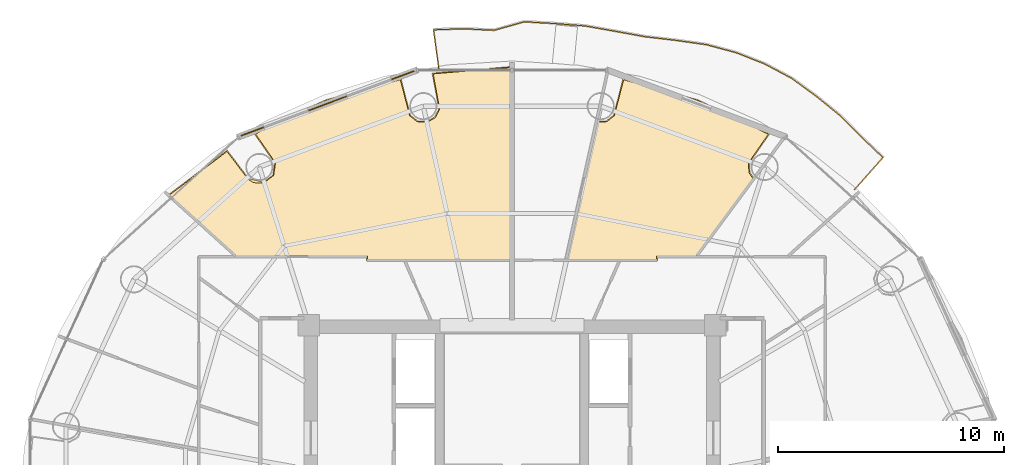
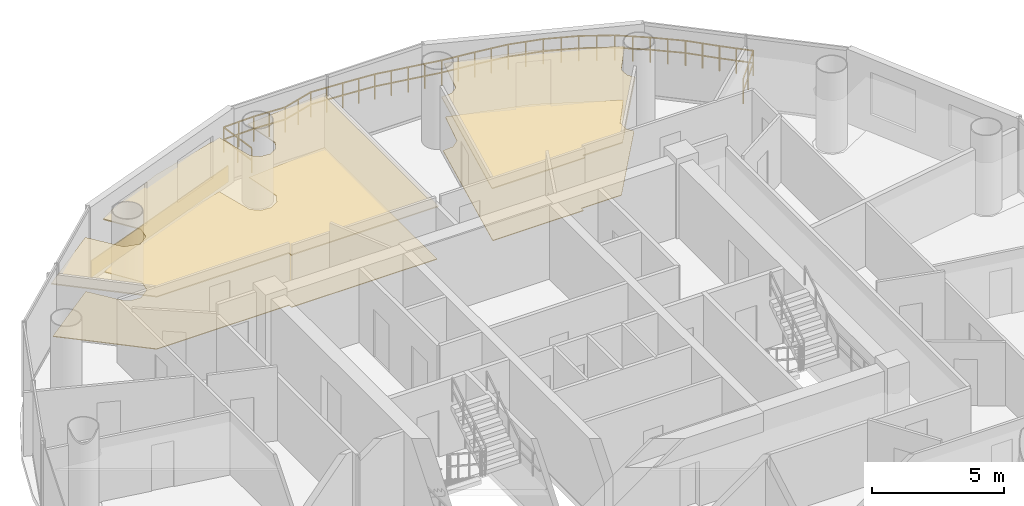
# One storey, part 27 of 27: 5 coverings, 1 railing.
"""IFC4 building model written with IfcOpenShell, lengths in metres."""

from ifc_helpers import new_model, si_unit, direction, frame, origin, origin_2d, place, context, subcontext, project, spatial, polyline, rectangle, outline, extrude, source, transform, mapped, material, layer, layer_set, type_object, element, save


model = new_model("IFC4")

# Units and contexts
model_context = context("Model", 3, precision=1e-05, world=origin(), true_north=direction((-0.2419218956, 0.970295726276)))
body_context = subcontext(model_context, "Body", "Model", "MODEL_VIEW")
ifc_project = project(units=[si_unit("LENGTHUNIT", "METRE"), si_unit("AREAUNIT", "SQUARE_METRE"), si_unit("VOLUMEUNIT", "CUBIC_METRE"), si_unit("PLANEANGLEUNIT", "RADIAN"), si_unit("MASSUNIT", "GRAM", prefix="KILO")], contexts=[model_context])

# Site, building, storey
site_placement = place(None, origin())
site = spatial("IfcSite", under=ifc_project, at=site_placement, CompositionType="ELEMENT")
building_placement = place(site_placement, origin())
building = spatial("IfcBuilding", under=site, at=building_placement, Name="Cobrevalo Terracotta Tower", CompositionType="ELEMENT")
storey_placement = place(building_placement, frame((0.0, 0.0, 191.199951171875)))
storey = spatial("IfcBuildingStorey", under=building, at=storey_placement, Name="L50", CompositionType="ELEMENT", Elevation=191.199951171875)

# Railing
ifc_material_1 = material(Name="Laminated structural glass and stainless steel", Category="steel")
railing_type = type_object("IfcRailingType", Name="Balcony lobe structural glass & terracotta-cap balustrade 1180 mm", PredefinedType="BALUSTRADE", material=ifc_material_1)
railing_placement = place(storey_placement, frame((53.18017578125, 40.802490234375, 0.0)))
element("IfcRailing", 1, at=railing_placement, inside=storey, type_object=railing_type, Name="L50 spiralling balcony lobe balustrade 1", PredefinedType="BALUSTRADE", context=body_context, shape_type="SweptSolid", body=[
    extrude(rectangle(XDim=0.048095703125, YDim=0.048095703125, at=origin_2d()), frame((0.0, 0.0, 1.15576171875), z_axis=(0.663086681071, 0.748542619619, 0.0), x_axis=(-0.748542619619, 0.663086681071, 0.0)), (0.0, 0.0, 1.0), 1.89990234375),
    extrude(rectangle(XDim=0.048095703125, YDim=0.048095703125, at=origin_2d()), frame((0.0, 0.0, 0.58984375), z_axis=(0.663086681071, 0.748542619619, 0.0), x_axis=(-0.748542619619, 0.663086681071, 0.0)), (0.0, 0.0, 1.0), 1.89990234375),
    extrude(rectangle(XDim=0.048095703125, YDim=0.048095703125, at=origin_2d()), frame((1.259765625, 1.422119140625, 1.15576171875), z_axis=(-0.725129002383, 0.68861304802, 0.0), x_axis=(-0.68861304802, -0.725129002383, 0.0)), (0.0, 0.0, 1.0), 1.317138671875),
    extrude(rectangle(XDim=0.048095703125, YDim=0.048095703125, at=origin_2d()), frame((1.259765625, 1.422119140625, 0.58984375), z_axis=(-0.725129002383, 0.68861304802, 0.0), x_axis=(-0.68861304802, -0.725129002383, 0.0)), (0.0, 0.0, 1.0), 1.317138671875),
    extrude(rectangle(XDim=0.048095703125, YDim=0.048095703125, at=origin_2d()), frame((0.3046875, 2.3291015625, 1.15576171875), z_axis=(-0.704177324076, 0.710024151883, 0.0), x_axis=(-0.710024151883, -0.704177324076, 0.0)), (0.0, 0.0, 1.0), 1.336181640625),
    extrude(rectangle(XDim=0.048095703125, YDim=0.048095703125, at=origin_2d()), frame((0.3046875, 2.3291015625, 0.58984375), z_axis=(-0.704177324076, 0.710024151883, 0.0), x_axis=(-0.710024151883, -0.704177324076, 0.0)), (0.0, 0.0, 1.0), 1.336181640625),
    extrude(rectangle(XDim=0.048095703125, YDim=0.048095703125, at=origin_2d()), frame((-0.63623046875, 3.27783203125, 1.15576171875), z_axis=(-0.775792773105, 0.630987775792, 0.0), x_axis=(-0.630987775792, -0.775792773105, 0.0)), (0.0, 0.0, 1.0), 1.348876953125),
    extrude(rectangle(XDim=0.048095703125, YDim=0.048095703125, at=origin_2d()), frame((-0.63623046875, 3.27783203125, 0.58984375), z_axis=(-0.775792773105, 0.630987775792, 0.0), x_axis=(-0.630987775792, -0.775792773105, 0.0)), (0.0, 0.0, 1.0), 1.348876953125),
    extrude(rectangle(XDim=0.048095703125, YDim=0.048095703125, at=origin_2d()), frame((-1.6826171875, 4.12890625, 1.15576171875), z_axis=(-0.807654467014, 0.58965605391, 0.0), x_axis=(-0.58965605391, -0.807654467014, 0.0)), (0.0, 0.0, 1.0), 1.3583984375),
    extrude(rectangle(XDim=0.048095703125, YDim=0.048095703125, at=origin_2d()), frame((-1.6826171875, 4.12890625, 0.58984375), z_axis=(-0.807654467014, 0.58965605391, 0.0), x_axis=(-0.58965605391, -0.807654467014, 0.0)), (0.0, 0.0, 1.0), 1.3583984375),
    extrude(rectangle(XDim=0.048095703125, YDim=0.048095703125, at=origin_2d()), frame((-2.77978515625, 4.929931640625, 1.15576171875), z_axis=(-0.882010085841, 0.47123052583, 0.0), x_axis=(-0.47123052583, -0.882010085841, 0.0)), (0.0, 0.0, 1.0), 1.361083984375),
    extrude(rectangle(XDim=0.048095703125, YDim=0.048095703125, at=origin_2d()), frame((-2.77978515625, 4.929931640625, 0.58984375), z_axis=(-0.882010085841, 0.47123052583, 0.0), x_axis=(-0.47123052583, -0.882010085841, 0.0)), (0.0, 0.0, 1.0), 1.361083984375),
    extrude(rectangle(XDim=0.048095703125, YDim=0.048095703125, at=origin_2d()), frame((-3.980224609375, 5.5712890625, 1.15576171875), z_axis=(-0.930312408247, 0.36676807803, 0.0), x_axis=(-0.36676807803, -0.930312408247, 0.0)), (0.0, 0.0, 1.0), 1.3671875),
    extrude(rectangle(XDim=0.048095703125, YDim=0.048095703125, at=origin_2d()), frame((-3.980224609375, 5.5712890625, 0.58984375), z_axis=(-0.930312408247, 0.36676807803, 0.0), x_axis=(-0.36676807803, -0.930312408247, 0.0)), (0.0, 0.0, 1.0), 1.3671875),
    extrude(rectangle(XDim=0.048095703125, YDim=0.048095703125, at=origin_2d()), frame((-5.252197265625, 6.07275390625, 1.15576171875), z_axis=(-0.966202361333, 0.257784788059, 0.0), x_axis=(-0.257784788059, -0.966202361333, 0.0)), (0.0, 0.0, 1.0), 1.368408203125),
    extrude(rectangle(XDim=0.048095703125, YDim=0.048095703125, at=origin_2d()), frame((-5.252197265625, 6.07275390625, 0.58984375), z_axis=(-0.966202361333, 0.257784788059, 0.0), x_axis=(-0.257784788059, -0.966202361333, 0.0)), (0.0, 0.0, 1.0), 1.368408203125),
    extrude(rectangle(XDim=0.048095703125, YDim=0.048095703125, at=origin_2d()), frame((-6.574462890625, 6.425537109375, 1.15576171875), z_axis=(-0.990069529652, 0.140578541943, 0.0), x_axis=(-0.140578541943, -0.990069529652, 0.0)), (0.0, 0.0, 1.0), 1.37890625),
    extrude(rectangle(XDim=0.048095703125, YDim=0.048095703125, at=origin_2d()), frame((-6.574462890625, 6.425537109375, 0.58984375), z_axis=(-0.990069529652, 0.140578541943, 0.0), x_axis=(-0.140578541943, -0.990069529652, 0.0)), (0.0, 0.0, 1.0), 1.37890625),
    extrude(rectangle(XDim=0.048095703125, YDim=0.048095703125, at=origin_2d()), frame((-7.939697265625, 6.619384765625, 1.15576171875), z_axis=(-0.993190979013, 0.116497550222, 0.0), x_axis=(-0.116497550222, -0.993190979013, 0.0)), (0.0, 0.0, 1.0), 1.360107421875),
    extrude(rectangle(XDim=0.048095703125, YDim=0.048095703125, at=origin_2d()), frame((-7.939697265625, 6.619384765625, 0.58984375), z_axis=(-0.993190979013, 0.116497550222, 0.0), x_axis=(-0.116497550222, -0.993190979013, 0.0)), (0.0, 0.0, 1.0), 1.360107421875),
    extrude(rectangle(XDim=0.048095703125, YDim=0.048095703125, at=origin_2d()), frame((-9.29052734375, 6.77783203125, 1.15576171875), z_axis=(-0.98392203497, 0.178598513711, 0.0), x_axis=(-0.178598513711, -0.98392203497, 0.0)), (0.0, 0.0, 1.0), 1.347900390625),
    extrude(rectangle(XDim=0.048095703125, YDim=0.048095703125, at=origin_2d()), frame((-9.29052734375, 6.77783203125, 0.58984375), z_axis=(-0.98392203497, 0.178598513711, 0.0), x_axis=(-0.178598513711, -0.98392203497, 0.0)), (0.0, 0.0, 1.0), 1.347900390625),
    extrude(rectangle(XDim=0.048095703125, YDim=0.048095703125, at=origin_2d()), frame((-10.61669921875, 7.0185546875, 1.15576171875), z_axis=(-0.984563895488, 0.175025528716, 0.0), x_axis=(-0.175025528716, -0.984563895488, 0.0)), (0.0, 0.0, 1.0), 1.347412109375),
    extrude(rectangle(XDim=0.048095703125, YDim=0.048095703125, at=origin_2d()), frame((-10.61669921875, 7.0185546875, 0.58984375), z_axis=(-0.984563895488, 0.175025528716, 0.0), x_axis=(-0.175025528716, -0.984563895488, 0.0)), (0.0, 0.0, 1.0), 1.347412109375),
    extrude(rectangle(XDim=0.048095703125, YDim=0.048095703125, at=origin_2d()), frame((-11.943359375, 7.25439453125, 1.15576171875), z_axis=(-0.997026756191, 0.077056131738, 0.0), x_axis=(-0.077056131738, -0.997026756191, 0.0)), (0.0, 0.0, 1.0), 1.349609375),
    extrude(rectangle(XDim=0.048095703125, YDim=0.048095703125, at=origin_2d()), frame((-11.943359375, 7.25439453125, 0.58984375), z_axis=(-0.997026756191, 0.077056131738, 0.0), x_axis=(-0.077056131738, -0.997026756191, 0.0)), (0.0, 0.0, 1.0), 1.349609375),
    extrude(rectangle(XDim=0.048095703125, YDim=0.048095703125, at=origin_2d()), frame((-13.2890625, 7.3583984375, 1.15576171875), z_axis=(-0.9982948766, 0.058372419468, 0.0), x_axis=(-0.058372419468, -0.9982948766, 0.0)), (0.0, 0.0, 1.0), 1.350830078125),
    extrude(rectangle(XDim=0.048095703125, YDim=0.048095703125, at=origin_2d()), frame((-13.2890625, 7.3583984375, 0.58984375), z_axis=(-0.9982948766, 0.058372419468, 0.0), x_axis=(-0.058372419468, -0.9982948766, 0.0)), (0.0, 0.0, 1.0), 1.350830078125),
    extrude(rectangle(XDim=0.048095703125, YDim=0.048095703125, at=origin_2d()), frame((-14.6376953125, 7.437255859375, 1.15576171875), z_axis=(-0.962407294219, -0.271610382779, 0.0), x_axis=(0.271610382779, -0.962407294219, 0.0)), (0.0, 0.0, 1.0), 1.3896484375),
    extrude(rectangle(XDim=0.048095703125, YDim=0.048095703125, at=origin_2d()), frame((-14.6376953125, 7.437255859375, 0.58984375), z_axis=(-0.962407294219, -0.271610382779, 0.0), x_axis=(0.271610382779, -0.962407294219, 0.0)), (0.0, 0.0, 1.0), 1.3896484375),
    extrude(rectangle(XDim=0.048095703125, YDim=0.048095703125, at=origin_2d()), frame((-15.97509765625, 7.059814453125, 1.15576171875), z_axis=(-0.998769047331, 0.049602319433, 0.0), x_axis=(-0.049602319433, -0.998769047331, 0.0)), (0.0, 0.0, 1.0), 1.34375),
    extrude(rectangle(XDim=0.048095703125, YDim=0.048095703125, at=origin_2d()), frame((-15.97509765625, 7.059814453125, 0.58984375), z_axis=(-0.998769047331, 0.049602319433, 0.0), x_axis=(-0.049602319433, -0.998769047331, 0.0)), (0.0, 0.0, 1.0), 1.34375),
    extrude(rectangle(XDim=0.048095703125, YDim=0.048095703125, at=origin_2d()), frame((-17.317138671875, 7.12646484375, 1.15576171875), z_axis=(-0.999440256039, -0.033454067148, 0.0), x_axis=(0.033454067148, -0.999440256039, 0.0)), (0.0, 0.0, 1.0), 1.3427734375),
    extrude(rectangle(XDim=0.048095703125, YDim=0.048095703125, at=origin_2d()), frame((-17.317138671875, 7.12646484375, 0.58984375), z_axis=(-0.999440256039, -0.033454067148, 0.0), x_axis=(0.033454067148, -0.999440256039, 0.0)), (0.0, 0.0, 1.0), 1.3427734375),
    extrude(rectangle(XDim=0.048095703125, YDim=0.048095703125, at=origin_2d()), frame((-18.6591796875, 7.08154296875, 1.15576171875), z_axis=(0.135635403979, -0.990758818879, 0.0), x_axis=(0.990758818879, 0.135635403979, 0.0)), (0.0, 0.0, 1.0), 1.731689453125),
    extrude(rectangle(XDim=0.048095703125, YDim=0.048095703125, at=origin_2d()), frame((-18.6591796875, 7.08154296875, 0.58984375), z_axis=(0.135635403979, -0.990758818879, 0.0), x_axis=(0.990758818879, 0.135635403979, 0.0)), (0.0, 0.0, 1.0), 1.731689453125),
    extrude(rectangle(XDim=0.0419921875, YDim=0.0419921875, at=origin_2d()), origin(), (0.0, 0.0, 1.0), 1.1318359375),
    extrude(rectangle(XDim=0.0419921875, YDim=0.0419921875, at=origin_2d()), frame((0.6298828125, 0.7109375, 0.0)), (0.0, 0.0, 1.0), 1.1318359375),
    extrude(rectangle(XDim=0.0419921875, YDim=0.0419921875, at=origin_2d()), frame((1.259765625, 1.422119140625, 0.0)), (0.0, 0.0, 1.0), 1.1318359375),
    extrude(rectangle(XDim=0.0419921875, YDim=0.0419921875, at=origin_2d()), frame((0.7822265625, 1.87548828125, 0.0)), (0.0, 0.0, 1.0), 1.1318359375),
    extrude(rectangle(XDim=0.0419921875, YDim=0.0419921875, at=origin_2d()), frame((0.3046875, 2.3291015625, 0.0)), (0.0, 0.0, 1.0), 1.1318359375),
    extrude(rectangle(XDim=0.0419921875, YDim=0.0419921875, at=origin_2d()), frame((-0.165771484375, 2.803466796875, 0.0)), (0.0, 0.0, 1.0), 1.1318359375),
    extrude(rectangle(XDim=0.0419921875, YDim=0.0419921875, at=origin_2d()), frame((-0.63623046875, 3.27783203125, 0.0)), (0.0, 0.0, 1.0), 1.1318359375),
    extrude(rectangle(XDim=0.0419921875, YDim=0.0419921875, at=origin_2d()), frame((-1.159423828125, 3.703369140625, 0.0)), (0.0, 0.0, 1.0), 1.1318359375),
    extrude(rectangle(XDim=0.0419921875, YDim=0.0419921875, at=origin_2d()), frame((-1.6826171875, 4.12890625, 0.0)), (0.0, 0.0, 1.0), 1.1318359375),
    extrude(rectangle(XDim=0.0419921875, YDim=0.0419921875, at=origin_2d()), frame((-2.231201171875, 4.529296875, 0.0)), (0.0, 0.0, 1.0), 1.1318359375),
    extrude(rectangle(XDim=0.0419921875, YDim=0.0419921875, at=origin_2d()), frame((-2.77978515625, 4.929931640625, 0.0)), (0.0, 0.0, 1.0), 1.1318359375),
    extrude(rectangle(XDim=0.0419921875, YDim=0.0419921875, at=origin_2d()), frame((-3.3798828125, 5.25048828125, 0.0)), (0.0, 0.0, 1.0), 1.1318359375),
    extrude(rectangle(XDim=0.0419921875, YDim=0.0419921875, at=origin_2d()), frame((-3.980224609375, 5.5712890625, 0.0)), (0.0, 0.0, 1.0), 1.1318359375),
    extrude(rectangle(XDim=0.0419921875, YDim=0.0419921875, at=origin_2d()), frame((-4.6162109375, 5.822021484375, 0.0)), (0.0, 0.0, 1.0), 1.1318359375),
    extrude(rectangle(XDim=0.0419921875, YDim=0.0419921875, at=origin_2d()), frame((-5.252197265625, 6.07275390625, 0.0)), (0.0, 0.0, 1.0), 1.1318359375),
    extrude(rectangle(XDim=0.0419921875, YDim=0.0419921875, at=origin_2d()), frame((-5.913330078125, 6.2490234375, 0.0)), (0.0, 0.0, 1.0), 1.1318359375),
    extrude(rectangle(XDim=0.0419921875, YDim=0.0419921875, at=origin_2d()), frame((-6.574462890625, 6.425537109375, 0.0)), (0.0, 0.0, 1.0), 1.1318359375),
    extrude(rectangle(XDim=0.0419921875, YDim=0.0419921875, at=origin_2d()), frame((-7.257080078125, 6.5224609375, 0.0)), (0.0, 0.0, 1.0), 1.1318359375),
    extrude(rectangle(XDim=0.0419921875, YDim=0.0419921875, at=origin_2d()), frame((-7.939697265625, 6.619384765625, 0.0)), (0.0, 0.0, 1.0), 1.1318359375),
    extrude(rectangle(XDim=0.0419921875, YDim=0.0419921875, at=origin_2d()), frame((-8.615234375, 6.69873046875, 0.0)), (0.0, 0.0, 1.0), 1.1318359375),
    extrude(rectangle(XDim=0.0419921875, YDim=0.0419921875, at=origin_2d()), frame((-9.29052734375, 6.77783203125, 0.0)), (0.0, 0.0, 1.0), 1.1318359375),
    extrude(rectangle(XDim=0.0419921875, YDim=0.0419921875, at=origin_2d()), frame((-9.95361328125, 6.898193359375, 0.0)), (0.0, 0.0, 1.0), 1.1318359375),
    extrude(rectangle(XDim=0.0419921875, YDim=0.0419921875, at=origin_2d()), frame((-10.61669921875, 7.0185546875, 0.0)), (0.0, 0.0, 1.0), 1.1318359375),
    extrude(rectangle(XDim=0.0419921875, YDim=0.0419921875, at=origin_2d()), frame((-11.280029296875, 7.136474609375, 0.0)), (0.0, 0.0, 1.0), 1.1318359375),
    extrude(rectangle(XDim=0.0419921875, YDim=0.0419921875, at=origin_2d()), frame((-11.943359375, 7.25439453125, 0.0)), (0.0, 0.0, 1.0), 1.1318359375),
    extrude(rectangle(XDim=0.0419921875, YDim=0.0419921875, at=origin_2d()), frame((-12.6162109375, 7.306396484375, 0.0)), (0.0, 0.0, 1.0), 1.1318359375),
    extrude(rectangle(XDim=0.0419921875, YDim=0.0419921875, at=origin_2d()), frame((-13.2890625, 7.3583984375, 0.0)), (0.0, 0.0, 1.0), 1.1318359375),
    extrude(rectangle(XDim=0.0419921875, YDim=0.0419921875, at=origin_2d()), frame((-13.96337890625, 7.39794921875, 0.0)), (0.0, 0.0, 1.0), 1.1318359375),
    extrude(rectangle(XDim=0.0419921875, YDim=0.0419921875, at=origin_2d()), frame((-14.6376953125, 7.437255859375, 0.0)), (0.0, 0.0, 1.0), 1.1318359375),
    extrude(rectangle(XDim=0.0419921875, YDim=0.0419921875, at=origin_2d()), frame((-15.306396484375, 7.24853515625, 0.0)), (0.0, 0.0, 1.0), 1.1318359375),
    extrude(rectangle(XDim=0.0419921875, YDim=0.0419921875, at=origin_2d()), frame((-15.97509765625, 7.059814453125, 0.0)), (0.0, 0.0, 1.0), 1.1318359375),
    extrude(rectangle(XDim=0.0419921875, YDim=0.0419921875, at=origin_2d()), frame((-16.64599609375, 7.09326171875, 0.0)), (0.0, 0.0, 1.0), 1.1318359375),
    extrude(rectangle(XDim=0.0419921875, YDim=0.0419921875, at=origin_2d()), frame((-17.317138671875, 7.12646484375, 0.0)), (0.0, 0.0, 1.0), 1.1318359375),
    extrude(rectangle(XDim=0.0419921875, YDim=0.0419921875, at=origin_2d()), frame((-17.98828125, 7.10400390625, 0.0)), (0.0, 0.0, 1.0), 1.1318359375),
    extrude(rectangle(XDim=0.0419921875, YDim=0.0419921875, at=origin_2d()), frame((-18.6591796875, 7.08154296875, 0.0)), (0.0, 0.0, 1.0), 1.1318359375),
    extrude(rectangle(XDim=0.0419921875, YDim=0.0419921875, at=origin_2d()), frame((-18.541748046875, 6.2236328125, 0.0)), (0.0, 0.0, 1.0), 1.1318359375),
    extrude(rectangle(XDim=0.0419921875, YDim=0.0419921875, at=origin_2d()), frame((-18.42431640625, 5.365966796875, 0.0)), (0.0, 0.0, 1.0), 1.1318359375),
])

# Coverings
ifc_material_2 = material(Name="Engineered Brazilian hardwood flooring", Category="wood")
ifc_layer_1 = layer(ifc_material_2, 0.028076171875)
ifc_layer_set_1 = layer_set([ifc_layer_1], Name="Engineered Brazilian hardwood flooring")
covering_type_1 = type_object("IfcCoveringType", Name="Engineered Hardwood Suite Flooring 28", PredefinedType="FLOORING", material=ifc_layer_set_1)
covering_1_placement = place(storey_placement, origin())
element("IfcCovering", 2, at=covering_1_placement, inside=storey, type_object=covering_type_1, Name="Flat L50A Principal Guest Bedroom floor finish", PredefinedType="FLOORING", context=body_context, shape_type="SweptSolid", body=[
    extrude(outline(polyline([(46.236083984375, 44.741455078125), (49.3544921875, 43.259765625), (48.477294921875, 41.98974609375), (48.497314453125, 41.560546875), (48.681396484375, 41.279541015625), (46.149169921875, 37.85498046875), (44.39501953125, 37.85498046875), (44.39501953125, 37.695068359375), (40.418701171875, 37.695068359375), (41.759765625, 43.78759765625), (42.198974609375, 43.813232421875), (42.537109375, 44.078369140625), (42.9482421875, 45.669921875), (46.236083984375, 44.741455078125)])), origin(), (0.0, 0.0, 1.0), 0.030029296875),
])
covering_2_placement = place(storey_placement, origin())
element("IfcCovering", 3, at=covering_2_placement, inside=storey, type_object=covering_type_1, Name="Flat L50B Penthouse Living and Dining Room floor finish", PredefinedType="FLOORING", context=body_context, shape_type="SweptSolid", body=[
    extrude(outline(polyline([(25.3720703125, 42.49169921875), (26.309814453125, 41.25830078125), (26.557861328125, 41.110595703125), (26.987060546875, 41.090576171875), (27.441162109375, 41.42919921875), (27.522705078125, 41.98974609375), (26.6455078125, 43.259765625), (27.2392578125, 43.61767578125), (29.763916015625, 44.741455078125), (33.0517578125, 45.669921875), (33.462890625, 44.078369140625), (33.801025390625, 43.813232421875), (34.229248046875, 43.78076171875), (34.603759765625, 43.991455078125), (34.7978515625, 44.375), (34.509765625, 45.931640625), (37.97998046875, 46.21875), (37.97998046875, 37.695068359375), (31.60498046875, 37.695068359375), (31.60498046875, 37.85498046875), (25.79638671875, 37.85498046875), (22.810302734375, 40.553466796875), (25.3720703125, 42.49169921875)])), origin(), (0.0, 0.0, 1.0), 0.030029296875),
])
ifc_material_3 = material(Name="Acoustic perforated gypsum ceiling", Category="gypsum")
ifc_layer_2 = layer(ifc_material_3, 0.050048828125)
ifc_layer_set_2 = layer_set([ifc_layer_2], Name="Acoustic perforated gypsum ceiling")
covering_type_2 = type_object("IfcCoveringType", Name="Perforated Acoustic Gypsum Ceiling 50", PredefinedType="CEILING", material=ifc_layer_set_2)
covering_3_placement = place(storey_placement, frame((0.0, 0.0, 2.445068359375)))
element("IfcCovering", 4, at=covering_3_placement, inside=storey, type_object=covering_type_2, Name="Flat L50A Principal Guest Bedroom acoustic ceiling", PredefinedType="CEILING", context=body_context, shape_type="SweptSolid", body=[
    extrude(outline(polyline([(46.251708984375, 44.78369140625), (49.420166015625, 43.272705078125), (48.521240234375, 41.978759765625), (48.539794921875, 41.57568359375), (48.74169921875, 41.285400390625), (46.171875, 37.81005859375), (44.43994140625, 37.81005859375), (44.43994140625, 37.64990234375), (40.362548828125, 37.64990234375), (41.724853515625, 43.838623046875), (42.1826171875, 43.85546875), (42.500244140625, 44.1044921875), (42.91357421875, 45.7216796875), (46.251708984375, 44.78369140625)])), origin(), (0.0, 0.0, 1.0), 0.050048828125),
])
covering_4_placement = place(storey_placement, frame((0.0, 0.0, 2.445068359375)))
element("IfcCovering", 5, at=covering_4_placement, inside=storey, type_object=covering_type_2, Name="Flat L50B Penthouse Living and Dining Room acoustic ceiling", PredefinedType="CEILING", context=body_context, shape_type="SweptSolid", body=[
    extrude(outline(polyline([(25.3837890625, 42.55126953125), (26.340087890625, 41.2919921875), (26.975830078125, 41.134521484375), (27.40234375, 41.452392578125), (27.478759765625, 41.978759765625), (26.579833984375, 43.272705078125), (27.218505859375, 43.65771484375), (29.748291015625, 44.78369140625), (33.08642578125, 45.7216796875), (33.499755859375, 44.1044921875), (33.8173828125, 43.85546875), (34.219482421875, 43.82470703125), (34.571044921875, 44.02294921875), (34.753173828125, 44.3828125), (34.455810546875, 45.967529296875), (38.02490234375, 46.2666015625), (38.02490234375, 37.64990234375), (31.56005859375, 37.64990234375), (31.56005859375, 37.81005859375), (25.779052734375, 37.81005859375), (22.74072265625, 40.5556640625), (25.3837890625, 42.55126953125)])), origin(), (0.0, 0.0, 1.0), 0.050048828125),
])
ifc_material_4 = material(Name="Glazed terracotta facade cladding tile", Category="masonry")
ifc_layer_3 = layer(ifc_material_4, 0.044921875)
ifc_layer_set_3 = layer_set([ifc_layer_3], Name="Glazed terracotta facade cladding tile")
covering_type_3 = type_object("IfcCoveringType", Name="Architectural terracotta rainscreen spandrel cladding 45 mm", PredefinedType="CLADDING", material=ifc_layer_set_3)
shared_shape = source(origin(), body_context, "Body", "SweptSolid", [
    extrude(rectangle(XDim=8.17919921875, YDim=0.044921875, at=origin_2d()), origin(), (0.0, 0.0, 1.0), 0.760009765625),
])
covering_5_placement = place(storey_placement, frame((29.8291015625, 44.62353515625, 0.0400390625), z_axis=(0.0, 0.0, 1.0), x_axis=(-0.936557839879, -0.350513070458, 0.0)))
element("IfcCovering", 6, at=covering_5_placement, inside=storey, type_object=covering_type_3, Name="L50 terracotta spandrel cladding S05", PredefinedType="CLADDING", context=body_context, shape_type="MappedRepresentation", body=[
    mapped(shared_shape, transform((0.0, 0.0, 0.0), scale=1.0)),
])

save(model, "model.ifc")
